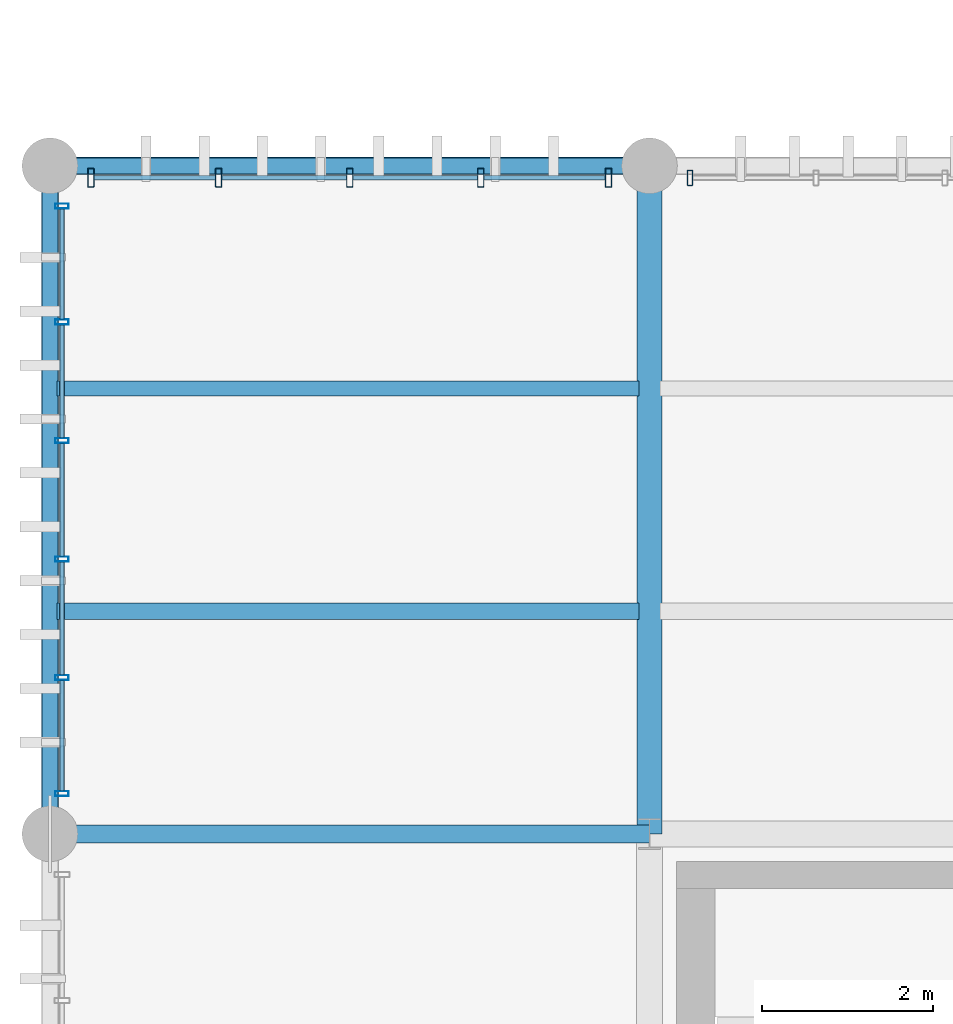
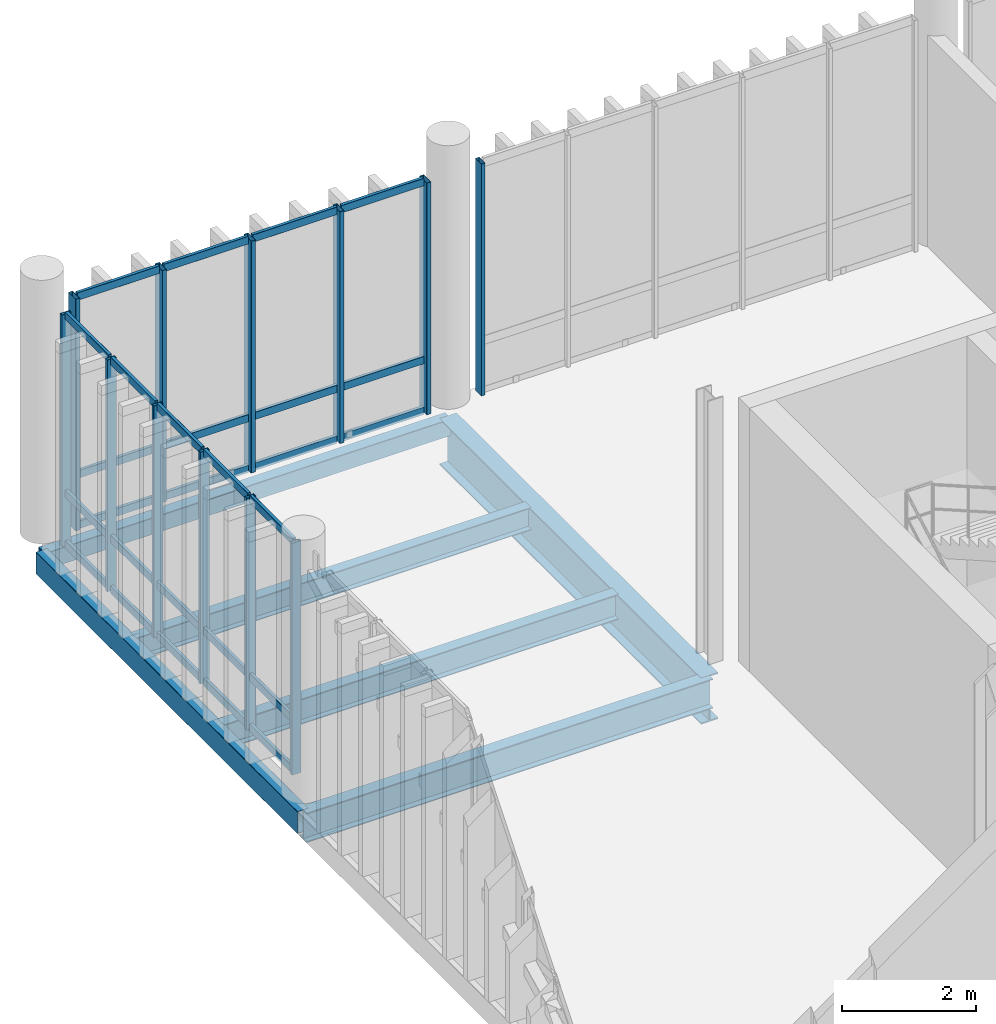
# One storey, part 15 of 86: 39 members, 6 beams, 3 elements without a shape of their own.
"""IFC4 building model written with IfcOpenShell, lengths in metres."""

from ifc_helpers import new_model, si_unit, direction, frame, origin_with_axes, origin_2d_with_axis, place, context, subcontext, project, spatial, hollow_rectangle, i_section, extrude, material, material_profile, profile_set, type_object, element, aggregate, save


model = new_model("IFC4")

# Units and contexts
model_context = context("Model", 3, precision=1e-05, world=origin_with_axes(), true_north=direction((0.0, 1.0)))
body_context = subcontext(model_context, "Body", "Model", "MODEL_VIEW")
ifc_project = project(units=[si_unit("LENGTHUNIT", "METRE"), si_unit("AREAUNIT", "SQUARE_METRE"), si_unit("VOLUMEUNIT", "CUBIC_METRE"), si_unit("PLANEANGLEUNIT", "RADIAN"), si_unit("MASSUNIT", "GRAM", prefix="KILO"), si_unit("THERMODYNAMICTEMPERATUREUNIT", "KELVIN")], contexts=[model_context])

# Site, building, storey
site_placement = place(None, origin_with_axes())
site = spatial("IfcSite", under=ifc_project, at=site_placement, CompositionType="ELEMENT")
building_placement = place(site_placement, origin_with_axes())
building = spatial("IfcBuilding", under=site, at=building_placement, Name="Montbau Bow Law Courts", CompositionType="ELEMENT")
storey_placement = place(building_placement, frame((0.0, 0.0, 29.7), z_axis=(0.0, 0.0, 1.0), x_axis=(1.0, 0.0, 0.0)))
storey = spatial("IfcBuildingStorey", under=building, at=storey_placement, Name="L06", CompositionType="ELEMENT", Elevation=29.7)

# Beams
ifc_material_1 = material(Name="Steel CSA G40.21 Grade 350W (350 MPa)", Category="steel")
ifc_material_profile_1 = material_profile(ifc_material_1, i_section(OverallWidth=0.293, OverallDepth=0.846, WebThickness=0.0154, FlangeThickness=0.0244, at=origin_2d_with_axis()), Name="W840X210", Category="Main", Priority=0)
ifc_profile_set_1 = profile_set([ifc_material_profile_1], Name="Steel CSA G40.21 Grade 350W (350 MPa)")
beam_type_1 = type_object("IfcBeamType", Name="B-FLR-02", PredefinedType="BEAM", material=ifc_profile_set_1)
beam_1_placement = place(None, frame((13.8, 54.6, 28.937), z_axis=(0.0, 1.0, 0.0), x_axis=(-1.0, 0.0, 0.0)))
element("IfcBeam", 1, at=beam_1_placement, inside=storey, type_object=beam_type_1, Name="BM-L06-S0697:bm2_0700", PredefinedType="BEAM", context=body_context, shape_type="SweptSolid", body=[
    extrude(i_section(OverallWidth=0.293, OverallDepth=0.846, WebThickness=0.0154, FlangeThickness=0.0244, at=origin_2d_with_axis()), origin_with_axes(), (0.0, 0.0, 1.0), 7.8),
])
ifc_material_profile_2 = material_profile(ifc_material_1, i_section(OverallWidth=0.21, OverallDepth=0.537, WebThickness=0.0109, FlangeThickness=0.0174, at=origin_2d_with_axis()), Name="W530X101", Category="Main", Priority=0)
ifc_profile_set_2 = profile_set([ifc_material_profile_2], Name="Steel CSA G40.21 Grade 350W (350 MPa)")
beam_type_2 = type_object("IfcBeamType", Name="B-FLR-06", PredefinedType="BEAM", material=ifc_profile_set_2)
beam_2_placement = place(None, frame((6.8, 54.6, 29.091), z_axis=(1.0, 0.0, 0.0), x_axis=(0.0, 1.0, 0.0)))
element("IfcBeam", 2, at=beam_2_placement, inside=storey, type_object=beam_type_2, Name="BM-L06-S0681:bm2_0684", PredefinedType="BEAM", context=body_context, shape_type="SweptSolid", body=[
    extrude(i_section(OverallWidth=0.21, OverallDepth=0.537, WebThickness=0.0109, FlangeThickness=0.0174, at=origin_2d_with_axis()), origin_with_axes(), (0.0, 0.0, 1.0), 7.0),
])
ifc_material_profile_3 = material_profile(ifc_material_1, i_section(OverallWidth=0.191, OverallDepth=0.46, WebThickness=0.0099, FlangeThickness=0.016, at=origin_2d_with_axis()), Name="W460X82", Category="Main", Priority=0)
ifc_profile_set_3 = profile_set([ifc_material_profile_3], Name="Steel CSA G40.21 Grade 350W (350 MPa)")
beam_type_3 = type_object("IfcBeamType", Name="B-JST-01", PredefinedType="JOIST", material=ifc_profile_set_3)
beam_3_placement = place(None, frame((6.88, 57.2, 29.13), z_axis=(1.0, 0.0, 0.0), x_axis=(0.0, 1.0, 0.0)))
element("IfcBeam", 3, at=beam_3_placement, inside=storey, type_object=beam_type_3, Name="JST-L06-S0336:jst2_0336", PredefinedType="JOIST", context=body_context, shape_type="SweptSolid", body=[
    extrude(i_section(OverallWidth=0.191, OverallDepth=0.46, WebThickness=0.0099, FlangeThickness=0.016, at=origin_2d_with_axis()), origin_with_axes(), (0.0, 0.0, 1.0), 6.798),
])
ifc_material_profile_4 = material_profile(ifc_material_1, i_section(OverallWidth=0.179, OverallDepth=0.41, WebThickness=0.0088, FlangeThickness=0.0144, at=origin_2d_with_axis()), Name="W410X67", Category="Main", Priority=0)
ifc_profile_set_4 = profile_set([ifc_material_profile_4], Name="Steel CSA G40.21 Grade 350W (350 MPa)")
beam_type_4 = type_object("IfcBeamType", Name="B-JST-02", PredefinedType="JOIST", material=ifc_profile_set_4)
beam_4_placement = place(None, frame((6.88, 59.8, 29.155), z_axis=(1.0, 0.0, 0.0), x_axis=(0.0, 1.0, 0.0)))
element("IfcBeam", 4, at=beam_4_placement, inside=storey, type_object=beam_type_4, Name="JST-L06-S0337:jst2_0337", PredefinedType="JOIST", context=body_context, shape_type="SweptSolid", body=[
    extrude(i_section(OverallWidth=0.179, OverallDepth=0.41, WebThickness=0.0088, FlangeThickness=0.0144, at=origin_2d_with_axis()), origin_with_axes(), (0.0, 0.0, 1.0), 6.798),
])
ifc_material_2 = material(Name="Steel CSA G40.21 Grade 350WT (350 MPa)", Category="steel")
ifc_material_profile_5 = material_profile(ifc_material_2, hollow_rectangle(XDim=0.203, YDim=0.406, WallThickness=0.0127, InnerFilletRadius=0.0254, OuterFilletRadius=0.0127, at=origin_2d_with_axis()), Name="HSS406X203X13", Category="Main", Priority=0)
ifc_profile_set_5 = profile_set([ifc_material_profile_5], Name="Steel CSA G40.21 Grade 350WT (350 MPa)")
beam_type_5 = type_object("IfcBeamType", Name="B-SPN-01", PredefinedType="SPANDREL", material=ifc_profile_set_5)
beam_5_placement = place(None, frame((6.8, 54.6, 29.157), z_axis=(0.0, 1.0, 0.0), x_axis=(-1.0, 0.0, 0.0)))
element("IfcBeam", 5, at=beam_5_placement, inside=storey, type_object=beam_type_5, Name="SPN-L06-S0694:bm2_0697", PredefinedType="SPANDREL", context=body_context, shape_type="SweptSolid", body=[
    extrude(hollow_rectangle(XDim=0.203, YDim=0.406, WallThickness=0.0127, InnerFilletRadius=0.0254, OuterFilletRadius=0.0127, at=origin_2d_with_axis()), origin_with_axes(), (0.0, 0.0, 1.0), 7.8),
])
ifc_material_profile_6 = material_profile(ifc_material_2, hollow_rectangle(XDim=0.203, YDim=0.305, WallThickness=0.0127, InnerFilletRadius=0.0254, OuterFilletRadius=0.0127, at=origin_2d_with_axis()), Name="HSS305X203X13", Category="Main", Priority=0)
ifc_profile_set_6 = profile_set([ifc_material_profile_6], Name="Steel CSA G40.21 Grade 350WT (350 MPa)")
beam_type_6 = type_object("IfcBeamType", Name="B-SPN-02", PredefinedType="SPANDREL", material=ifc_profile_set_6)
beam_6_placement = place(None, frame((6.8, 62.4, 29.207), z_axis=(1.0, 0.0, 0.0), x_axis=(0.0, 1.0, 0.0)))
element("IfcBeam", 6, at=beam_6_placement, inside=storey, type_object=beam_type_6, Name="SPN-L06-S0686:bm2_0689", PredefinedType="SPANDREL", context=body_context, shape_type="SweptSolid", body=[
    extrude(hollow_rectangle(XDim=0.203, YDim=0.305, WallThickness=0.0127, InnerFilletRadius=0.0254, OuterFilletRadius=0.0127, at=origin_2d_with_axis()), origin_with_axes(), (0.0, 0.0, 1.0), 7.0),
])

# Curtain wall, members
ifc_material_3 = material(Name="Thermally Broken Extruded Aluminium AA 6063-T6", Category="aluminium")
curtain_wall_type = type_object("IfcCurtainWallType", Name="CW-TRC-02", PredefinedType="NOTDEFINED", material=ifc_material_3)
curtain_wall_1_placement = place(None, frame((7.24, 62.26, 29.7), z_axis=(0.0, 0.0, 1.0), x_axis=(1.0, 0.0, 0.0)))
curtain_wall_1 = element("IfcCurtainWall", 7, at=curtain_wall_1_placement, inside=storey, type_object=curtain_wall_type, Name="CW-L06-099:cw_0099", PredefinedType="NOTDEFINED")
ifc_material_profile_7 = material_profile(ifc_material_3, hollow_rectangle(XDim=0.075, YDim=0.22, WallThickness=0.005, InnerFilletRadius=0.01, OuterFilletRadius=0.005, at=origin_2d_with_axis()), Name="CWM-220X75", Category="Main", Priority=0)
ifc_profile_set_7 = profile_set([ifc_material_profile_7], Name="Thermally Broken Extruded Aluminium AA 6063-T6")
member_type_1 = type_object("IfcMemberType", Name="M-MUL-01", PredefinedType="MULLION", material=ifc_profile_set_7)
member_1_placement = place(None, frame((7.277, 62.26, 29.7), z_axis=(0.0, 0.0, 1.0), x_axis=(1.0, 0.0, 0.0)))
member_1 = element("IfcMember", 8, at=member_1_placement, type_object=member_type_1, Name="CW-L06-099-M01:cw_0099_M01", PredefinedType="MULLION", context=body_context, shape_type="SweptSolid", body=[
    extrude(hollow_rectangle(XDim=0.075, YDim=0.22, WallThickness=0.005, InnerFilletRadius=0.01, OuterFilletRadius=0.005, at=origin_2d_with_axis()), origin_with_axes(), (0.0, 0.0, 1.0), 4.22),
])
member_2_placement = place(None, frame((8.77, 62.26, 29.7), z_axis=(0.0, 0.0, 1.0), x_axis=(1.0, 0.0, 0.0)))
member_2 = element("IfcMember", 9, at=member_2_placement, type_object=member_type_1, Name="CW-L06-099-M02:cw_0099_M02", PredefinedType="MULLION", context=body_context, shape_type="SweptSolid", body=[
    extrude(hollow_rectangle(XDim=0.075, YDim=0.22, WallThickness=0.005, InnerFilletRadius=0.01, OuterFilletRadius=0.005, at=origin_2d_with_axis()), origin_with_axes(), (0.0, 0.0, 1.0), 4.22),
])
member_3_placement = place(None, frame((10.3, 62.26, 29.7), z_axis=(0.0, 0.0, 1.0), x_axis=(1.0, 0.0, 0.0)))
member_3 = element("IfcMember", 10, at=member_3_placement, type_object=member_type_1, Name="CW-L06-099-M03:cw_0099_M03", PredefinedType="MULLION", context=body_context, shape_type="SweptSolid", body=[
    extrude(hollow_rectangle(XDim=0.075, YDim=0.22, WallThickness=0.005, InnerFilletRadius=0.01, OuterFilletRadius=0.005, at=origin_2d_with_axis()), origin_with_axes(), (0.0, 0.0, 1.0), 4.22),
])
member_4_placement = place(None, frame((11.83, 62.26, 29.7), z_axis=(0.0, 0.0, 1.0), x_axis=(1.0, 0.0, 0.0)))
member_4 = element("IfcMember", 11, at=member_4_placement, type_object=member_type_1, Name="CW-L06-099-M04:cw_0099_M04", PredefinedType="MULLION", context=body_context, shape_type="SweptSolid", body=[
    extrude(hollow_rectangle(XDim=0.075, YDim=0.22, WallThickness=0.005, InnerFilletRadius=0.01, OuterFilletRadius=0.005, at=origin_2d_with_axis()), origin_with_axes(), (0.0, 0.0, 1.0), 4.22),
])
member_5_placement = place(None, frame((13.322, 62.26, 29.7), z_axis=(0.0, 0.0, 1.0), x_axis=(1.0, 0.0, 0.0)))
member_5 = element("IfcMember", 12, at=member_5_placement, type_object=member_type_1, Name="CW-L06-099-M05:cw_0099_M05", PredefinedType="MULLION", context=body_context, shape_type="SweptSolid", body=[
    extrude(hollow_rectangle(XDim=0.075, YDim=0.22, WallThickness=0.005, InnerFilletRadius=0.01, OuterFilletRadius=0.005, at=origin_2d_with_axis()), origin_with_axes(), (0.0, 0.0, 1.0), 4.22),
])

# Curtain wall, member
curtain_wall_2_placement = place(None, frame((14.24, 62.26, 29.7), z_axis=(0.0, 0.0, 1.0), x_axis=(1.0, 0.0, 0.0)))
curtain_wall_2 = element("IfcCurtainWall", 13, at=curtain_wall_2_placement, inside=storey, type_object=curtain_wall_type, Name="CW-L06-100:cw_0100", PredefinedType="NOTDEFINED")
ifc_material_profile_8 = material_profile(ifc_material_3, hollow_rectangle(XDim=0.065, YDim=0.18, WallThickness=0.005, InnerFilletRadius=0.01, OuterFilletRadius=0.005, at=origin_2d_with_axis()), Name="CWM-180X65", Category="Main", Priority=0)
ifc_profile_set_8 = profile_set([ifc_material_profile_8], Name="Thermally Broken Extruded Aluminium AA 6063-T6")
member_type_2 = type_object("IfcMemberType", Name="M-MUL-02", PredefinedType="MULLION", material=ifc_profile_set_8)
member_6_placement = place(None, frame((14.273, 62.26, 29.7), z_axis=(0.0, 0.0, 1.0), x_axis=(1.0, 0.0, 0.0)))
member_6 = element("IfcMember", 14, at=member_6_placement, type_object=member_type_2, Name="CW-L06-100-M01:cw_0100_M01", PredefinedType="MULLION", context=body_context, shape_type="SweptSolid", body=[
    extrude(hollow_rectangle(XDim=0.065, YDim=0.18, WallThickness=0.005, InnerFilletRadius=0.01, OuterFilletRadius=0.005, at=origin_2d_with_axis()), origin_with_axes(), (0.0, 0.0, 1.0), 4.22),
])
aggregate(curtain_wall_2, [member_6])

# Curtain wall, members
curtain_wall_3_placement = place(None, frame((6.94, 55.04, 29.7), z_axis=(0.0, 0.0, 1.0), x_axis=(1.0, 0.0, 0.0)))
curtain_wall_3 = element("IfcCurtainWall", 15, at=curtain_wall_3_placement, inside=storey, type_object=curtain_wall_type, Name="CW-L06-107:cw_0107", PredefinedType="NOTDEFINED")
ifc_material_profile_9 = material_profile(ifc_material_3, hollow_rectangle(XDim=0.06, YDim=0.16, WallThickness=0.004, InnerFilletRadius=0.008, OuterFilletRadius=0.004, at=origin_2d_with_axis()), Name="CWM-160X60", Category="Main", Priority=0)
ifc_profile_set_9 = profile_set([ifc_material_profile_9], Name="Thermally Broken Extruded Aluminium AA 6063-T6")
member_type_3 = type_object("IfcMemberType", Name="M-MUL-03", PredefinedType="MULLION", material=ifc_profile_set_9)
member_7_placement = place(None, frame((6.94, 55.07, 29.7), z_axis=(0.0, 0.0, 1.0), x_axis=(0.0, 1.0, 0.0)))
member_7 = element("IfcMember", 16, at=member_7_placement, type_object=member_type_3, Name="CW-L06-107-M01:cw_0107_M01", PredefinedType="MULLION", context=body_context, shape_type="SweptSolid", body=[
    extrude(hollow_rectangle(XDim=0.06, YDim=0.16, WallThickness=0.004, InnerFilletRadius=0.008, OuterFilletRadius=0.004, at=origin_2d_with_axis()), origin_with_axes(), (0.0, 0.0, 1.0), 4.22),
])
member_8_placement = place(None, frame((6.94, 56.424, 29.7), z_axis=(0.0, 0.0, 1.0), x_axis=(0.0, 1.0, 0.0)))
member_8 = element("IfcMember", 17, at=member_8_placement, type_object=member_type_3, Name="CW-L06-107-M02:cw_0107_M02", PredefinedType="MULLION", context=body_context, shape_type="SweptSolid", body=[
    extrude(hollow_rectangle(XDim=0.06, YDim=0.16, WallThickness=0.004, InnerFilletRadius=0.008, OuterFilletRadius=0.004, at=origin_2d_with_axis()), origin_with_axes(), (0.0, 0.0, 1.0), 4.22),
])
member_9_placement = place(None, frame((6.94, 57.808, 29.7), z_axis=(0.0, 0.0, 1.0), x_axis=(0.0, 1.0, 0.0)))
member_9 = element("IfcMember", 18, at=member_9_placement, type_object=member_type_3, Name="CW-L06-107-M03:cw_0107_M03", PredefinedType="MULLION", context=body_context, shape_type="SweptSolid", body=[
    extrude(hollow_rectangle(XDim=0.06, YDim=0.16, WallThickness=0.004, InnerFilletRadius=0.008, OuterFilletRadius=0.004, at=origin_2d_with_axis()), origin_with_axes(), (0.0, 0.0, 1.0), 4.22),
])
member_10_placement = place(None, frame((6.94, 59.192, 29.7), z_axis=(0.0, 0.0, 1.0), x_axis=(0.0, 1.0, 0.0)))
member_10 = element("IfcMember", 19, at=member_10_placement, type_object=member_type_3, Name="CW-L06-107-M04:cw_0107_M04", PredefinedType="MULLION", context=body_context, shape_type="SweptSolid", body=[
    extrude(hollow_rectangle(XDim=0.06, YDim=0.16, WallThickness=0.004, InnerFilletRadius=0.008, OuterFilletRadius=0.004, at=origin_2d_with_axis()), origin_with_axes(), (0.0, 0.0, 1.0), 4.22),
])
member_11_placement = place(None, frame((6.94, 60.576, 29.7), z_axis=(0.0, 0.0, 1.0), x_axis=(0.0, 1.0, 0.0)))
member_11 = element("IfcMember", 20, at=member_11_placement, type_object=member_type_3, Name="CW-L06-107-M05:cw_0107_M05", PredefinedType="MULLION", context=body_context, shape_type="SweptSolid", body=[
    extrude(hollow_rectangle(XDim=0.06, YDim=0.16, WallThickness=0.004, InnerFilletRadius=0.008, OuterFilletRadius=0.004, at=origin_2d_with_axis()), origin_with_axes(), (0.0, 0.0, 1.0), 4.22),
])
member_12_placement = place(None, frame((6.94, 61.93, 29.7), z_axis=(0.0, 0.0, 1.0), x_axis=(0.0, 1.0, 0.0)))
member_12 = element("IfcMember", 21, at=member_12_placement, type_object=member_type_3, Name="CW-L06-107-M06:cw_0107_M06", PredefinedType="MULLION", context=body_context, shape_type="SweptSolid", body=[
    extrude(hollow_rectangle(XDim=0.06, YDim=0.16, WallThickness=0.004, InnerFilletRadius=0.008, OuterFilletRadius=0.004, at=origin_2d_with_axis()), origin_with_axes(), (0.0, 0.0, 1.0), 4.22),
])

# Member
ifc_material_profile_10 = material_profile(ifc_material_3, hollow_rectangle(XDim=0.055, YDim=0.14, WallThickness=0.004, InnerFilletRadius=0.008, OuterFilletRadius=0.004, at=origin_2d_with_axis()), Name="CWT-140X55", Category="Main", Priority=0)
ifc_profile_set_10 = profile_set([ifc_material_profile_10], Name="Thermally Broken Extruded Aluminium AA 6063-T6")
member_type_4 = type_object("IfcMemberType", Name="M-TRN-02", PredefinedType="USERDEFINED", material=ifc_profile_set_10)
member_13_placement = place(None, frame((7.316, 62.26, 29.727), z_axis=(1.0, 0.0, 0.0), x_axis=(0.0, 1.0, 0.0)))
member_13 = element("IfcMember", 22, at=member_13_placement, type_object=member_type_4, Name="CW-L06-099-T01-1:cw_0099_T01_1", ObjectType="TRANSOM", PredefinedType="USERDEFINED", context=body_context, shape_type="SweptSolid", body=[
    extrude(hollow_rectangle(XDim=0.055, YDim=0.14, WallThickness=0.004, InnerFilletRadius=0.008, OuterFilletRadius=0.004, at=origin_2d_with_axis()), origin_with_axes(), (0.0, 0.0, 1.0), 1.414),
])

member_14_placement = place(None, frame((7.316, 62.26, 30.65), z_axis=(1.0, 0.0, 0.0), x_axis=(0.0, 1.0, 0.0)))
member_14 = element("IfcMember", 23, at=member_14_placement, type_object=member_type_4, Name="CW-L06-099-T01-2:cw_0099_T01_2", ObjectType="TRANSOM", PredefinedType="USERDEFINED", context=body_context, shape_type="SweptSolid", body=[
    extrude(hollow_rectangle(XDim=0.055, YDim=0.14, WallThickness=0.004, InnerFilletRadius=0.008, OuterFilletRadius=0.004, at=origin_2d_with_axis()), origin_with_axes(), (0.0, 0.0, 1.0), 1.414),
])

member_15_placement = place(None, frame((7.316, 62.26, 33.892), z_axis=(1.0, 0.0, 0.0), x_axis=(0.0, 1.0, 0.0)))
member_15 = element("IfcMember", 24, at=member_15_placement, type_object=member_type_4, Name="CW-L06-099-T01-3:cw_0099_T01_3", ObjectType="TRANSOM", PredefinedType="USERDEFINED", context=body_context, shape_type="SweptSolid", body=[
    extrude(hollow_rectangle(XDim=0.055, YDim=0.14, WallThickness=0.004, InnerFilletRadius=0.008, OuterFilletRadius=0.004, at=origin_2d_with_axis()), origin_with_axes(), (0.0, 0.0, 1.0), 1.414),
])

member_16_placement = place(None, frame((8.81, 62.26, 29.727), z_axis=(1.0, 0.0, 0.0), x_axis=(0.0, 1.0, 0.0)))
member_16 = element("IfcMember", 25, at=member_16_placement, type_object=member_type_4, Name="CW-L06-099-T02-1:cw_0099_T02_1", ObjectType="TRANSOM", PredefinedType="USERDEFINED", context=body_context, shape_type="SweptSolid", body=[
    extrude(hollow_rectangle(XDim=0.055, YDim=0.14, WallThickness=0.004, InnerFilletRadius=0.008, OuterFilletRadius=0.004, at=origin_2d_with_axis()), origin_with_axes(), (0.0, 0.0, 1.0), 1.451),
])

member_17_placement = place(None, frame((8.81, 62.26, 30.65), z_axis=(1.0, 0.0, 0.0), x_axis=(0.0, 1.0, 0.0)))
member_17 = element("IfcMember", 26, at=member_17_placement, type_object=member_type_4, Name="CW-L06-099-T02-2:cw_0099_T02_2", ObjectType="TRANSOM", PredefinedType="USERDEFINED", context=body_context, shape_type="SweptSolid", body=[
    extrude(hollow_rectangle(XDim=0.055, YDim=0.14, WallThickness=0.004, InnerFilletRadius=0.008, OuterFilletRadius=0.004, at=origin_2d_with_axis()), origin_with_axes(), (0.0, 0.0, 1.0), 1.451),
])

member_18_placement = place(None, frame((8.81, 62.26, 33.892), z_axis=(1.0, 0.0, 0.0), x_axis=(0.0, 1.0, 0.0)))
member_18 = element("IfcMember", 27, at=member_18_placement, type_object=member_type_4, Name="CW-L06-099-T02-3:cw_0099_T02_3", ObjectType="TRANSOM", PredefinedType="USERDEFINED", context=body_context, shape_type="SweptSolid", body=[
    extrude(hollow_rectangle(XDim=0.055, YDim=0.14, WallThickness=0.004, InnerFilletRadius=0.008, OuterFilletRadius=0.004, at=origin_2d_with_axis()), origin_with_axes(), (0.0, 0.0, 1.0), 1.451),
])

member_19_placement = place(None, frame((10.339, 62.26, 29.727), z_axis=(1.0, 0.0, 0.0), x_axis=(0.0, 1.0, 0.0)))
member_19 = element("IfcMember", 28, at=member_19_placement, type_object=member_type_4, Name="CW-L06-099-T03-1:cw_0099_T03_1", ObjectType="TRANSOM", PredefinedType="USERDEFINED", context=body_context, shape_type="SweptSolid", body=[
    extrude(hollow_rectangle(XDim=0.055, YDim=0.14, WallThickness=0.004, InnerFilletRadius=0.008, OuterFilletRadius=0.004, at=origin_2d_with_axis()), origin_with_axes(), (0.0, 0.0, 1.0), 1.452),
])

member_20_placement = place(None, frame((10.339, 62.26, 30.65), z_axis=(1.0, 0.0, 0.0), x_axis=(0.0, 1.0, 0.0)))
member_20 = element("IfcMember", 29, at=member_20_placement, type_object=member_type_4, Name="CW-L06-099-T03-2:cw_0099_T03_2", ObjectType="TRANSOM", PredefinedType="USERDEFINED", context=body_context, shape_type="SweptSolid", body=[
    extrude(hollow_rectangle(XDim=0.055, YDim=0.14, WallThickness=0.004, InnerFilletRadius=0.008, OuterFilletRadius=0.004, at=origin_2d_with_axis()), origin_with_axes(), (0.0, 0.0, 1.0), 1.452),
])

member_21_placement = place(None, frame((10.339, 62.26, 33.892), z_axis=(1.0, 0.0, 0.0), x_axis=(0.0, 1.0, 0.0)))
member_21 = element("IfcMember", 30, at=member_21_placement, type_object=member_type_4, Name="CW-L06-099-T03-3:cw_0099_T03_3", ObjectType="TRANSOM", PredefinedType="USERDEFINED", context=body_context, shape_type="SweptSolid", body=[
    extrude(hollow_rectangle(XDim=0.055, YDim=0.14, WallThickness=0.004, InnerFilletRadius=0.008, OuterFilletRadius=0.004, at=origin_2d_with_axis()), origin_with_axes(), (0.0, 0.0, 1.0), 1.452),
])

member_22_placement = place(None, frame((11.869, 62.26, 29.727), z_axis=(1.0, 0.0, 0.0), x_axis=(0.0, 1.0, 0.0)))
member_22 = element("IfcMember", 31, at=member_22_placement, type_object=member_type_4, Name="CW-L06-099-T04-1:cw_0099_T04_1", ObjectType="TRANSOM", PredefinedType="USERDEFINED", context=body_context, shape_type="SweptSolid", body=[
    extrude(hollow_rectangle(XDim=0.055, YDim=0.14, WallThickness=0.004, InnerFilletRadius=0.008, OuterFilletRadius=0.004, at=origin_2d_with_axis()), origin_with_axes(), (0.0, 0.0, 1.0), 1.414),
])

member_23_placement = place(None, frame((11.869, 62.26, 30.65), z_axis=(1.0, 0.0, 0.0), x_axis=(0.0, 1.0, 0.0)))
member_23 = element("IfcMember", 32, at=member_23_placement, type_object=member_type_4, Name="CW-L06-099-T04-2:cw_0099_T04_2", ObjectType="TRANSOM", PredefinedType="USERDEFINED", context=body_context, shape_type="SweptSolid", body=[
    extrude(hollow_rectangle(XDim=0.055, YDim=0.14, WallThickness=0.004, InnerFilletRadius=0.008, OuterFilletRadius=0.004, at=origin_2d_with_axis()), origin_with_axes(), (0.0, 0.0, 1.0), 1.414),
])

member_24_placement = place(None, frame((11.869, 62.26, 33.892), z_axis=(1.0, 0.0, 0.0), x_axis=(0.0, 1.0, 0.0)))
member_24 = element("IfcMember", 33, at=member_24_placement, type_object=member_type_4, Name="CW-L06-099-T04-3:cw_0099_T04_3", ObjectType="TRANSOM", PredefinedType="USERDEFINED", context=body_context, shape_type="SweptSolid", body=[
    extrude(hollow_rectangle(XDim=0.055, YDim=0.14, WallThickness=0.004, InnerFilletRadius=0.008, OuterFilletRadius=0.004, at=origin_2d_with_axis()), origin_with_axes(), (0.0, 0.0, 1.0), 1.414),
])

aggregate(curtain_wall_1, [member_1, member_2, member_3, member_4, member_5, member_13, member_14, member_15, member_16, member_17, member_18, member_19, member_20, member_21, member_22, member_23, member_24])

member_25_placement = place(None, frame((6.94, 55.102, 29.727), z_axis=(0.0, 1.0, 0.0), x_axis=(-1.0, 0.0, 0.0)))
member_25 = element("IfcMember", 34, at=member_25_placement, type_object=member_type_4, Name="CW-L06-107-T01-1:cw_0107_T01_1", ObjectType="TRANSOM", PredefinedType="USERDEFINED", context=body_context, shape_type="SweptSolid", body=[
    extrude(hollow_rectangle(XDim=0.055, YDim=0.14, WallThickness=0.004, InnerFilletRadius=0.008, OuterFilletRadius=0.004, at=origin_2d_with_axis()), origin_with_axes(), (0.0, 0.0, 1.0), 1.29),
])

member_26_placement = place(None, frame((6.94, 55.102, 30.65), z_axis=(0.0, 1.0, 0.0), x_axis=(-1.0, 0.0, 0.0)))
member_26 = element("IfcMember", 35, at=member_26_placement, type_object=member_type_4, Name="CW-L06-107-T01-2:cw_0107_T01_2", ObjectType="TRANSOM", PredefinedType="USERDEFINED", context=body_context, shape_type="SweptSolid", body=[
    extrude(hollow_rectangle(XDim=0.055, YDim=0.14, WallThickness=0.004, InnerFilletRadius=0.008, OuterFilletRadius=0.004, at=origin_2d_with_axis()), origin_with_axes(), (0.0, 0.0, 1.0), 1.29),
])

member_27_placement = place(None, frame((6.94, 55.102, 33.892), z_axis=(0.0, 1.0, 0.0), x_axis=(-1.0, 0.0, 0.0)))
member_27 = element("IfcMember", 36, at=member_27_placement, type_object=member_type_4, Name="CW-L06-107-T01-3:cw_0107_T01_3", ObjectType="TRANSOM", PredefinedType="USERDEFINED", context=body_context, shape_type="SweptSolid", body=[
    extrude(hollow_rectangle(XDim=0.055, YDim=0.14, WallThickness=0.004, InnerFilletRadius=0.008, OuterFilletRadius=0.004, at=origin_2d_with_axis()), origin_with_axes(), (0.0, 0.0, 1.0), 1.29),
])

member_28_placement = place(None, frame((6.94, 56.456, 29.727), z_axis=(0.0, 1.0, 0.0), x_axis=(-1.0, 0.0, 0.0)))
member_28 = element("IfcMember", 37, at=member_28_placement, type_object=member_type_4, Name="CW-L06-107-T02-1:cw_0107_T02_1", ObjectType="TRANSOM", PredefinedType="USERDEFINED", context=body_context, shape_type="SweptSolid", body=[
    extrude(hollow_rectangle(XDim=0.055, YDim=0.14, WallThickness=0.004, InnerFilletRadius=0.008, OuterFilletRadius=0.004, at=origin_2d_with_axis()), origin_with_axes(), (0.0, 0.0, 1.0), 1.32),
])

member_29_placement = place(None, frame((6.94, 56.456, 30.65), z_axis=(0.0, 1.0, 0.0), x_axis=(-1.0, 0.0, 0.0)))
member_29 = element("IfcMember", 38, at=member_29_placement, type_object=member_type_4, Name="CW-L06-107-T02-2:cw_0107_T02_2", ObjectType="TRANSOM", PredefinedType="USERDEFINED", context=body_context, shape_type="SweptSolid", body=[
    extrude(hollow_rectangle(XDim=0.055, YDim=0.14, WallThickness=0.004, InnerFilletRadius=0.008, OuterFilletRadius=0.004, at=origin_2d_with_axis()), origin_with_axes(), (0.0, 0.0, 1.0), 1.32),
])

member_30_placement = place(None, frame((6.94, 56.456, 33.892), z_axis=(0.0, 1.0, 0.0), x_axis=(-1.0, 0.0, 0.0)))
member_30 = element("IfcMember", 39, at=member_30_placement, type_object=member_type_4, Name="CW-L06-107-T02-3:cw_0107_T02_3", ObjectType="TRANSOM", PredefinedType="USERDEFINED", context=body_context, shape_type="SweptSolid", body=[
    extrude(hollow_rectangle(XDim=0.055, YDim=0.14, WallThickness=0.004, InnerFilletRadius=0.008, OuterFilletRadius=0.004, at=origin_2d_with_axis()), origin_with_axes(), (0.0, 0.0, 1.0), 1.32),
])

member_31_placement = place(None, frame((6.94, 57.84, 29.727), z_axis=(0.0, 1.0, 0.0), x_axis=(-1.0, 0.0, 0.0)))
member_31 = element("IfcMember", 40, at=member_31_placement, type_object=member_type_4, Name="CW-L06-107-T03-1:cw_0107_T03_1", ObjectType="TRANSOM", PredefinedType="USERDEFINED", context=body_context, shape_type="SweptSolid", body=[
    extrude(hollow_rectangle(XDim=0.055, YDim=0.14, WallThickness=0.004, InnerFilletRadius=0.008, OuterFilletRadius=0.004, at=origin_2d_with_axis()), origin_with_axes(), (0.0, 0.0, 1.0), 1.32),
])

member_32_placement = place(None, frame((6.94, 57.84, 30.65), z_axis=(0.0, 1.0, 0.0), x_axis=(-1.0, 0.0, 0.0)))
member_32 = element("IfcMember", 41, at=member_32_placement, type_object=member_type_4, Name="CW-L06-107-T03-2:cw_0107_T03_2", ObjectType="TRANSOM", PredefinedType="USERDEFINED", context=body_context, shape_type="SweptSolid", body=[
    extrude(hollow_rectangle(XDim=0.055, YDim=0.14, WallThickness=0.004, InnerFilletRadius=0.008, OuterFilletRadius=0.004, at=origin_2d_with_axis()), origin_with_axes(), (0.0, 0.0, 1.0), 1.32),
])

member_33_placement = place(None, frame((6.94, 57.84, 33.892), z_axis=(0.0, 1.0, 0.0), x_axis=(-1.0, 0.0, 0.0)))
member_33 = element("IfcMember", 42, at=member_33_placement, type_object=member_type_4, Name="CW-L06-107-T03-3:cw_0107_T03_3", ObjectType="TRANSOM", PredefinedType="USERDEFINED", context=body_context, shape_type="SweptSolid", body=[
    extrude(hollow_rectangle(XDim=0.055, YDim=0.14, WallThickness=0.004, InnerFilletRadius=0.008, OuterFilletRadius=0.004, at=origin_2d_with_axis()), origin_with_axes(), (0.0, 0.0, 1.0), 1.32),
])

member_34_placement = place(None, frame((6.94, 59.224, 29.727), z_axis=(0.0, 1.0, 0.0), x_axis=(-1.0, 0.0, 0.0)))
member_34 = element("IfcMember", 43, at=member_34_placement, type_object=member_type_4, Name="CW-L06-107-T04-1:cw_0107_T04_1", ObjectType="TRANSOM", PredefinedType="USERDEFINED", context=body_context, shape_type="SweptSolid", body=[
    extrude(hollow_rectangle(XDim=0.055, YDim=0.14, WallThickness=0.004, InnerFilletRadius=0.008, OuterFilletRadius=0.004, at=origin_2d_with_axis()), origin_with_axes(), (0.0, 0.0, 1.0), 1.32),
])

member_35_placement = place(None, frame((6.94, 59.224, 30.65), z_axis=(0.0, 1.0, 0.0), x_axis=(-1.0, 0.0, 0.0)))
member_35 = element("IfcMember", 44, at=member_35_placement, type_object=member_type_4, Name="CW-L06-107-T04-2:cw_0107_T04_2", ObjectType="TRANSOM", PredefinedType="USERDEFINED", context=body_context, shape_type="SweptSolid", body=[
    extrude(hollow_rectangle(XDim=0.055, YDim=0.14, WallThickness=0.004, InnerFilletRadius=0.008, OuterFilletRadius=0.004, at=origin_2d_with_axis()), origin_with_axes(), (0.0, 0.0, 1.0), 1.32),
])

member_36_placement = place(None, frame((6.94, 59.224, 33.892), z_axis=(0.0, 1.0, 0.0), x_axis=(-1.0, 0.0, 0.0)))
member_36 = element("IfcMember", 45, at=member_36_placement, type_object=member_type_4, Name="CW-L06-107-T04-3:cw_0107_T04_3", ObjectType="TRANSOM", PredefinedType="USERDEFINED", context=body_context, shape_type="SweptSolid", body=[
    extrude(hollow_rectangle(XDim=0.055, YDim=0.14, WallThickness=0.004, InnerFilletRadius=0.008, OuterFilletRadius=0.004, at=origin_2d_with_axis()), origin_with_axes(), (0.0, 0.0, 1.0), 1.32),
])

member_37_placement = place(None, frame((6.94, 60.608, 29.727), z_axis=(0.0, 1.0, 0.0), x_axis=(-1.0, 0.0, 0.0)))
member_37 = element("IfcMember", 46, at=member_37_placement, type_object=member_type_4, Name="CW-L06-107-T05-1:cw_0107_T05_1", ObjectType="TRANSOM", PredefinedType="USERDEFINED", context=body_context, shape_type="SweptSolid", body=[
    extrude(hollow_rectangle(XDim=0.055, YDim=0.14, WallThickness=0.004, InnerFilletRadius=0.008, OuterFilletRadius=0.004, at=origin_2d_with_axis()), origin_with_axes(), (0.0, 0.0, 1.0), 1.29),
])

member_38_placement = place(None, frame((6.94, 60.608, 30.65), z_axis=(0.0, 1.0, 0.0), x_axis=(-1.0, 0.0, 0.0)))
member_38 = element("IfcMember", 47, at=member_38_placement, type_object=member_type_4, Name="CW-L06-107-T05-2:cw_0107_T05_2", ObjectType="TRANSOM", PredefinedType="USERDEFINED", context=body_context, shape_type="SweptSolid", body=[
    extrude(hollow_rectangle(XDim=0.055, YDim=0.14, WallThickness=0.004, InnerFilletRadius=0.008, OuterFilletRadius=0.004, at=origin_2d_with_axis()), origin_with_axes(), (0.0, 0.0, 1.0), 1.29),
])

member_39_placement = place(None, frame((6.94, 60.608, 33.892), z_axis=(0.0, 1.0, 0.0), x_axis=(-1.0, 0.0, 0.0)))
member_39 = element("IfcMember", 48, at=member_39_placement, type_object=member_type_4, Name="CW-L06-107-T05-3:cw_0107_T05_3", ObjectType="TRANSOM", PredefinedType="USERDEFINED", context=body_context, shape_type="SweptSolid", body=[
    extrude(hollow_rectangle(XDim=0.055, YDim=0.14, WallThickness=0.004, InnerFilletRadius=0.008, OuterFilletRadius=0.004, at=origin_2d_with_axis()), origin_with_axes(), (0.0, 0.0, 1.0), 1.29),
])

aggregate(curtain_wall_3, [member_7, member_8, member_9, member_10, member_11, member_12, member_25, member_26, member_27, member_28, member_29, member_30, member_31, member_32, member_33, member_34, member_35, member_36, member_37, member_38, member_39])

save(model, "model.ifc")
